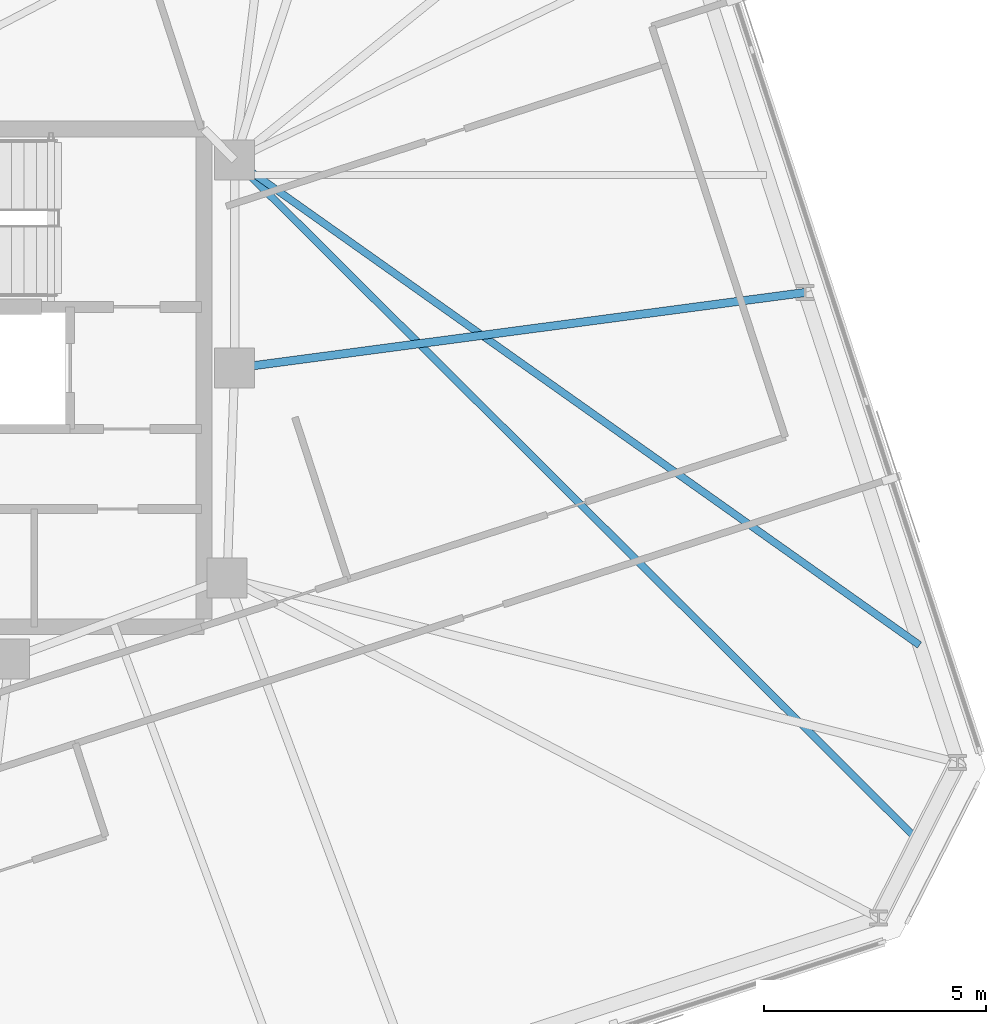
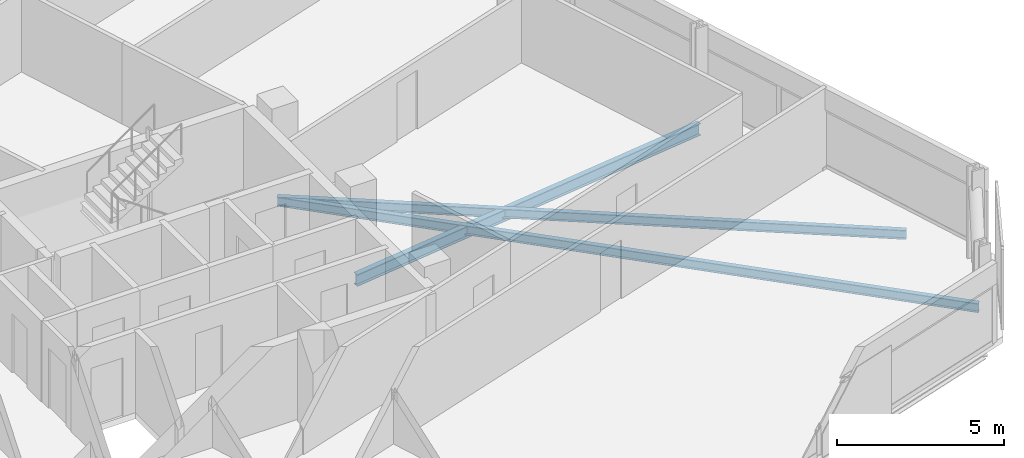
# One storey, part 8 of 19: 3 beams.
"""IFC4 building model written with IfcOpenShell, lengths in metres."""

from ifc_helpers import new_model, si_unit, direction, frame, origin, origin_2d, place, context, subcontext, project, spatial, i_section, extrude, material, material_profile, profile_set, type_object, element, save


model = new_model("IFC4")

# Units and contexts
model_context = context("Model", 3, precision=1e-05, world=origin(), true_north=direction((0.0, 1.0)))
body_context = subcontext(model_context, "Body", "Model", "MODEL_VIEW")
ifc_project = project(units=[si_unit("LENGTHUNIT", "METRE"), si_unit("AREAUNIT", "SQUARE_METRE"), si_unit("VOLUMEUNIT", "CUBIC_METRE"), si_unit("PLANEANGLEUNIT", "RADIAN"), si_unit("MASSUNIT", "GRAM", prefix="KILO")], contexts=[model_context])

# Site, building, storey
site_placement = place(None, origin())
site = spatial("IfcSite", under=ifc_project, at=site_placement, CompositionType="ELEMENT")
building_placement = place(site_placement, origin())
building = spatial("IfcBuilding", under=site, at=building_placement, Name="Menara Jurai Vektor", CompositionType="ELEMENT")
storey_placement = place(building_placement, frame((0.0, 0.0, 251.10009765625)))
storey = spatial("IfcBuildingStorey", under=building, at=storey_placement, Name="L67", CompositionType="ELEMENT", Elevation=251.10009765625)

# Beams
ifc_material = material(Name="Steel S355", Category="steel")
ifc_material_profile_1 = material_profile(ifc_material, i_section(OverallWidth=0.18505859375, OverallDepth=0.429931640625, WebThickness=0.010986328125, FlangeThickness=0.01806640625, at=origin_2d()), Name="PG 430x185x76")
ifc_profile_set_1 = profile_set([ifc_material_profile_1], Name="Steel S355")
beam_type_1 = type_object("IfcBeamType", Name="STR-BM-430", PredefinedType="BEAM", material=ifc_profile_set_1)
beam_1_placement = place(storey_placement, frame((28.07763671875, 1.92236328125, -0.440185546875), z_axis=(-0.99130829243, -0.131559375797, 0.0), x_axis=(0.131559375797, -0.99130829243, 0.0)))
element("IfcBeam", 1, at=beam_1_placement, inside=storey, type_object=beam_type_1, Name="Radial Floor Girder L67-E2", PredefinedType="BEAM", context=body_context, shape_type="SweptSolid", body=[
    extrude(i_section(OverallWidth=0.18505859375, OverallDepth=0.429931640625, WebThickness=0.010986328125, FlangeThickness=0.01806640625, at=origin_2d()), origin(), (0.0, 0.0, 1.0), 12.940185546875),
])
ifc_material_profile_2 = material_profile(ifc_material, i_section(OverallWidth=0.1650390625, OverallDepth=0.330078125, WebThickness=0.009033203125, FlangeThickness=0.013916015625, at=origin_2d()), Name="PG 330x165x46")
ifc_profile_set_2 = profile_set([ifc_material_profile_2], Name="Steel S355")
beam_type_2 = type_object("IfcBeamType", Name="STR-JS-330", PredefinedType="JOIST", material=ifc_profile_set_2)
beam_2_placement = place(storey_placement, frame((30.62353515625, -10.398681640625, -0.39013671875), z_axis=(-0.70883256901, 0.705376771032, 0.0), x_axis=(-0.705376771032, -0.70883256901, 0.0)))
element("IfcBeam", 2, at=beam_2_placement, inside=storey, type_object=beam_type_2, Name="Radial Secondary Floor Joist L67-JS09", PredefinedType="JOIST", context=body_context, shape_type="SweptSolid", body=[
    extrude(i_section(OverallWidth=0.1650390625, OverallDepth=0.330078125, WebThickness=0.009033203125, FlangeThickness=0.013916015625, at=origin_2d()), origin(), (0.0, 0.0, 1.0), 21.6884765625),
])
beam_3_placement = place(storey_placement, frame((30.654296875, -6.00830078125, -0.39013671875), z_axis=(-0.816103783972, 0.577905367501, 0.0), x_axis=(-0.577905367501, -0.816103783972, 0.0)))
element("IfcBeam", 3, at=beam_3_placement, inside=storey, type_object=beam_type_2, Name="Radial Secondary Floor Joist L67-JS10", PredefinedType="JOIST", context=body_context, shape_type="SweptSolid", body=[
    extrude(i_section(OverallWidth=0.1650390625, OverallDepth=0.330078125, WebThickness=0.009033203125, FlangeThickness=0.013916015625, at=origin_2d()), origin(), (0.0, 0.0, 1.0), 18.87548828125),
])

save(model, "model.ifc")
